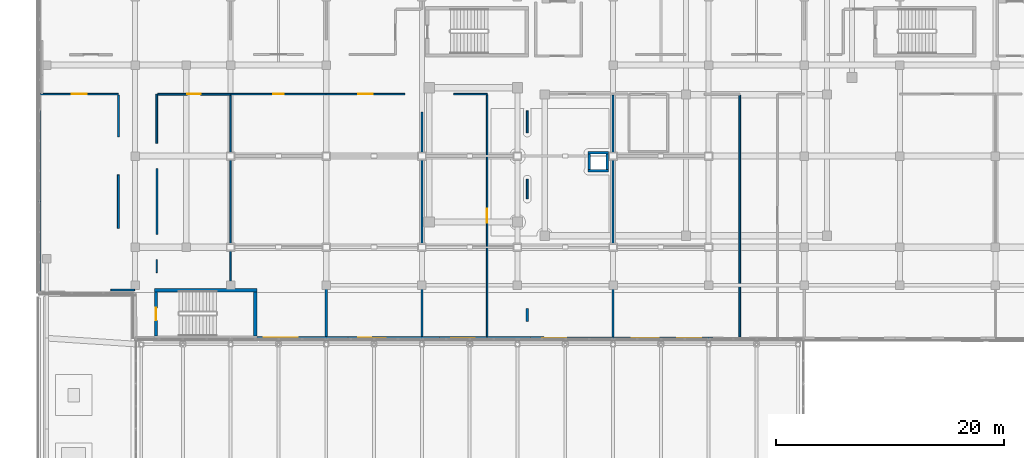
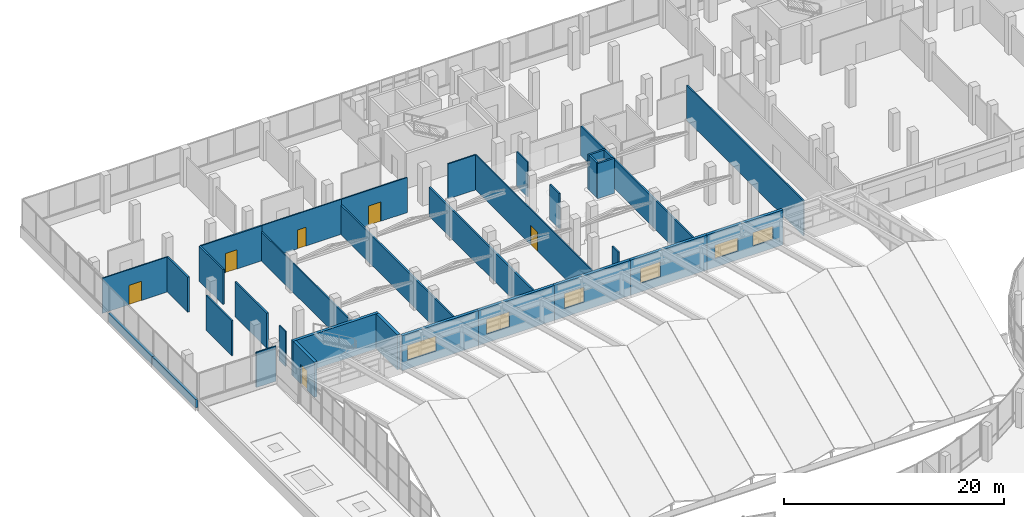
# One storey, part 165 of 184: 34 walls, 6 doors, 6 windows, 12 openings.
"""IFC4 building model written with IfcOpenShell, lengths in metres."""

import ifcopenshell
import ifcopenshell.guid

model = None  # the IFC model being written
_history = None  # IfcOwnerHistory: only IFC2X3 demands one
_inside = {}  # id of a spatial element -> (the spatial element, [elements in it])
_under = {}  # id of a project, library or spatial element -> (it, [spatial elements below it])
_declared = {}  # id of a project -> (the project, [libraries it declares])
_typed = {}  # id of a type object -> (the type object, [elements of that type])
_made_of = {}  # id of a material, layer set ... -> (it, [elements and type objects made of it])


def new_model(schema):
    """Start an empty IFC model of exactly this schema.

    Asked for "IFC4X3", IfcOpenShell would pick the latest addendum, in which some entities
    have other attributes; the version numbers below select the first issue.
    IFC2X3 requires an IfcOwnerHistory on every rooted entity: one is made here for all.
    """
    global model, _history
    if schema == "IFC4X3":
        model = ifcopenshell.file(schema_version=(4, 3, 0, 0))
    else:
        model = ifcopenshell.file(schema=schema)
    _inside.clear()
    _under.clear()
    _declared.clear()
    _typed.clear()
    _made_of.clear()
    _history = None
    if model.schema == "IFC2X3":
        org = make("IfcOrganization", Name="unknown")
        user = make(
            "IfcPersonAndOrganization",
            ThePerson=make("IfcPerson", FamilyName="unknown"),
            TheOrganization=org,
        )
        app = make(
            "IfcApplication",
            ApplicationDeveloper=org,
            Version="unknown",
            ApplicationFullName="unknown",
            ApplicationIdentifier="unknown",
        )
        _history = make(
            "IfcOwnerHistory",
            OwningUser=user,
            OwningApplication=app,
            ChangeAction="ADDED",
            CreationDate=0,
        )
    return model


def make(cls, **values):
    """One entity of the class cls with the attributes given. An attribute that is None is left unset."""
    return model.create_entity(
        cls, **{name: value for name, value in values.items() if value is not None}
    )


def rooted(cls, **values):
    """An entity with a GlobalId (a new one), such as an element, a storey or a relation."""
    return make(cls, GlobalId=ifcopenshell.guid.new(), OwnerHistory=_history, **values)


def si_unit(unit_type, name, prefix=None):
    """IfcSIUnit, for example si_unit("LENGTHUNIT", "METRE", prefix="MILLI")."""
    return make("IfcSIUnit", UnitType=unit_type, Prefix=prefix, Name=name)


def assignment(units):
    """IfcUnitAssignment: the units of a project."""
    return None if units is None else make("IfcUnitAssignment", Units=units)


def point(xyz):
    """IfcCartesianPoint."""
    return None if xyz is None else make("IfcCartesianPoint", Coordinates=xyz)


def direction(xyz):
    """IfcDirection."""
    return None if xyz is None else make("IfcDirection", DirectionRatios=xyz)


def frame(location, z_axis=None, x_axis=None):
    """IfcAxis2Placement3D, a coordinate frame: its origin and axes. An axis left out is left unset."""
    return make(
        "IfcAxis2Placement3D",
        Location=point(location),
        Axis=direction(z_axis),
        RefDirection=direction(x_axis),
    )


def frame_2d(location, x_axis=None):
    """IfcAxis2Placement2D, a coordinate frame in the plane: its origin and x axis."""
    return make(
        "IfcAxis2Placement2D", Location=point(location), RefDirection=direction(x_axis)
    )


def origin():
    """The frame at (0, 0, 0) with its axes left unset."""
    return frame((0.0, 0.0, 0.0))


def place(relative_to, where):
    """IfcLocalPlacement: puts the frame where relative to a parent placement (None: the world)."""
    return make(
        "IfcLocalPlacement", PlacementRelTo=relative_to, RelativePlacement=where
    )


def context(
    kind, dimensions, precision=None, world=None, true_north=None, identifier=None
):
    """IfcGeometricRepresentationContext, for example the 3D "Model" context."""
    return make(
        "IfcGeometricRepresentationContext",
        ContextIdentifier=identifier,
        ContextType=kind,
        CoordinateSpaceDimension=dimensions,
        Precision=precision,
        WorldCoordinateSystem=world,
        TrueNorth=true_north,
    )


def subcontext(parent, identifier, kind, view, scale=None):
    """IfcGeometricRepresentationSubContext, for example "Body" below "Model"."""
    return make(
        "IfcGeometricRepresentationSubContext",
        ContextIdentifier=identifier,
        ContextType=kind,
        ParentContext=parent,
        TargetScale=scale,
        TargetView=view,
    )


def project(units=None, contexts=None):
    """IfcProject with its units and contexts."""
    return rooted(
        "IfcProject",
        Name="project",
        RepresentationContexts=contexts,
        UnitsInContext=assignment(units),
    )


def spatial(cls, under=None, at=None, **own):
    """A site, building, storey or space (cls), placed at a placement, below another one or the project."""
    s = rooted(cls, ObjectPlacement=at, **own)
    if under is not None:
        _under.setdefault(under.id(), (under, []))[1].append(s)
    return s


def profile(cls, at=None, kind="AREA", **sizes):
    """A parametric profile (cls). Its sizes go by their IFC names, for example OverallWidth=200.0."""
    return make(cls, ProfileType=kind, Position=at, **sizes)


def rectangle(**sizes):
    """IfcRectangleProfileDef."""
    return profile("IfcRectangleProfileDef", **sizes)


def extrude(swept, where, along, depth):
    """IfcExtrudedAreaSolid: the profile swept, set in the frame where, extruded along a direction by depth."""
    return make(
        "IfcExtrudedAreaSolid",
        SweptArea=swept,
        Position=where,
        ExtrudedDirection=direction(along),
        Depth=depth,
    )


def shape(context_of_items, identifier, shape_type, items):
    """IfcShapeRepresentation: the items that make up one representation, for example the "Body"."""
    return make(
        "IfcShapeRepresentation",
        ContextOfItems=context_of_items,
        RepresentationIdentifier=identifier,
        RepresentationType=shape_type,
        Items=items,
    )


def material(Name=None, Category=None):
    """IfcMaterial."""
    return make("IfcMaterial", Name=Name, Category=Category)


def layer(
    of_material, thickness, ventilated=None, Name=None, Category=None, Priority=None
):
    """IfcMaterialLayer: one layer of a wall or slab, of a material (None: an air gap)."""
    return make(
        "IfcMaterialLayer",
        Material=of_material,
        LayerThickness=thickness,
        IsVentilated=ventilated,
        Name=Name,
        Category=Category,
        Priority=Priority,
    )


def layer_set(layers, Name=None):
    """IfcMaterialLayerSet."""
    return make("IfcMaterialLayerSet", MaterialLayers=layers, LayerSetName=Name)


def made_of(thing, what):
    """Note that an element or type object is made of a material, layer set ...; save() writes the relation."""
    if what is not None:
        _made_of.setdefault(what.id(), (what, []))[1].append(thing)
    return thing


def type_object(cls, material=None, **own):
    """A type object (cls), such as IfcWallType, which elements share."""
    return made_of(rooted(cls, **own), material)


def element(
    cls,
    number,
    at=None,
    inside=None,
    cuts=None,
    type_object=None,
    material=None,
    context=None,
    identifier="Body",
    shape_type=None,
    held_by="IfcProductDefinitionShape",
    body=None,
    shapes=None,
    **own,
):
    """One element of the class cls, such as IfcWall. Its Tag is "e" and its number.

    at: its placement. inside: the storey or other place that contains it. cuts: it is an
    opening in that element (IfcRelVoidsElement). A single representation is given by context,
    identifier, shape_type and body (its items); several are given by shapes. held_by: the class
    of the entity that holds the representations. save() writes the other relations.
    """
    e = rooted(cls, Tag="e%d" % number, ObjectPlacement=at, **own)
    if body is not None:
        shapes = [shape(context, identifier, shape_type, body)]
    if shapes is not None:
        e.Representation = make(held_by, Representations=shapes)
    if inside is not None:
        _inside.setdefault(inside.id(), (inside, []))[1].append(e)
    if cuts is not None:
        rooted(
            "IfcRelVoidsElement", RelatingBuildingElement=cuts, RelatedOpeningElement=e
        )
    if type_object is not None:
        _typed.setdefault(type_object.id(), (type_object, []))[1].append(e)
    return made_of(e, material)


def fill(opening, filler):
    """IfcRelFillsElement: the door or window that sits in an opening."""
    return rooted(
        "IfcRelFillsElement",
        RelatingOpeningElement=opening,
        RelatedBuildingElement=filler,
    )


def aggregate(whole, parts):
    """IfcRelAggregates: a whole, such as a stair, and the parts it consists of."""
    return rooted("IfcRelAggregates", RelatingObject=whole, RelatedObjects=parts)


def save(model, path):
    """Write the relations noted so far, then the file.

    IfcRelAggregates (storeys below a building ...), IfcRelContainedInSpatialStructure (elements
    in a storey), IfcRelDefinesByType, IfcRelAssociatesMaterial and IfcRelDeclares: one each for
    every whole, place, type object, material and project.
    """
    for whole, parts in _under.values():
        aggregate(whole, parts)
    for where, things in _inside.values():
        rooted(
            "IfcRelContainedInSpatialStructure",
            RelatedElements=things,
            RelatingStructure=where,
        )
    for kind, things in _typed.values():
        rooted("IfcRelDefinesByType", RelatedObjects=things, RelatingType=kind)
    for what, things in _made_of.values():
        rooted("IfcRelAssociatesMaterial", RelatedObjects=things, RelatingMaterial=what)
    for by, libraries in _declared.values():
        rooted("IfcRelDeclares", RelatingContext=by, RelatedDefinitions=libraries)
    model.write(path)


model = new_model("IFC4")

# Units and contexts
model_context = context("Model", 3, precision=1e-05, world=origin(), true_north=direction((0.0, 1.0)))
body_context = subcontext(model_context, "Body", "Model", "MODEL_VIEW")
ifc_project = project(units=[si_unit("LENGTHUNIT", "METRE"), si_unit("AREAUNIT", "SQUARE_METRE"), si_unit("VOLUMEUNIT", "CUBIC_METRE"), si_unit("PLANEANGLEUNIT", "RADIAN"), si_unit("MASSUNIT", "GRAM", prefix="KILO")], contexts=[model_context])

# Site, building, storey
site_placement = place(None, origin())
site = spatial("IfcSite", under=ifc_project, at=site_placement, CompositionType="ELEMENT")
building_placement = place(site_placement, origin())
building = spatial("IfcBuilding", under=site, at=building_placement, Name="Selatvlak General Hospital", CompositionType="ELEMENT")
storey_placement = place(building_placement, frame((0.0, 0.0, 15.0)))
storey = spatial("IfcBuildingStorey", under=building, at=storey_placement, Name="L03", CompositionType="ELEMENT", Elevation=15.0)

# Wall, openings, windows
ifc_material_1 = material(Name="Precast concrete C40/50 - white fair-faced", Category="concrete")
ifc_layer_1 = layer(ifc_material_1, 0.300048828125, Name="Precast concrete C40/50 - white fair-faced", Category="concrete")
ifc_layer_set_1 = layer_set([ifc_layer_1], Name="Precast concrete C40/50 - white fair-faced")
wall_type_1 = type_object("IfcWallType", Name="WALL-EW-01", PredefinedType="SOLIDWALL", material=ifc_layer_set_1)
wall_1_placement = place(storey_placement, frame((73.56005859375, 83.966064453125, 0.0), z_axis=(0.0, 0.0, 1.0), x_axis=(-0.999999732319, 0.000731684814, 0.0)))
wall_1 = element("IfcWall", 1, at=wall_1_placement, inside=storey, type_object=wall_type_1, Name="L03 exterior wall 0394", PredefinedType="SOLIDWALL", context=body_context, shape_type="SweptSolid", body=[
    extrude(rectangle(XDim=8.008056640625, YDim=0.300048828125, at=frame_2d((4.00390625, 0.0))), origin(), (0.0, 0.0, 1.0), 3.89501953125),
])
opening_1_placement = place(wall_1_placement, frame((1.031982421875, 0.0, 0.9599609375)))
opening_1 = element("IfcOpeningElement", 2, at=opening_1_placement, cuts=wall_1, Name="Opening WN-06", PredefinedType="OPENING", context=body_context, shape_type="SweptSolid", body=[
    extrude(rectangle(XDim=2.10009765625, YDim=1.5, at=frame_2d((1.050048828125, 0.75))), frame((0.0, 0.159912109375, 0.0), z_axis=(0.0, -1.0, 0.0), x_axis=(1.0, 0.0, 0.0)), (0.0, 0.0, 1.0), 0.320068359375),
])
opening_2_placement = place(wall_1_placement, frame((4.72607421875, 0.0, 0.9599609375)))
opening_2 = element("IfcOpeningElement", 3, at=opening_2_placement, cuts=wall_1, Name="Opening WN-07", PredefinedType="OPENING", context=body_context, shape_type="SweptSolid", body=[
    extrude(rectangle(XDim=2.39990234375, YDim=1.5, at=frame_2d((1.199951171875, 0.75))), frame((0.0, 0.159912109375, 0.0), z_axis=(0.0, -1.0, 0.0), x_axis=(1.0, 0.0, 0.0)), (0.0, 0.0, 1.0), 0.320068359375),
])
ifc_material_2 = material(Name="Thermally broken aluminium Low-E window", Category="aluminium")
window_type_1 = type_object("IfcWindowType", Name="WIN-WN-06", PartitioningType="SINGLE_PANEL", PredefinedType="WINDOW", material=ifc_material_2)
window_1_placement = place(opening_1_placement, origin())
window_1 = element("IfcWindow", 4, at=window_1_placement, inside=storey, type_object=window_type_1, Name="L03 Bauhaus ribbon window 0065", OverallHeight=1.5, OverallWidth=2.10009765625, PartitioningType="SINGLE_PANEL", PredefinedType="WINDOW", context=body_context, shape_type="SweptSolid", body=[
    extrude(rectangle(XDim=2.10009765625, YDim=1.5, at=frame_2d((1.050048828125, 0.75))), frame((0.0, 0.030029296875, 0.0), z_axis=(0.0, -1.0, 0.0), x_axis=(1.0, 0.0, 0.0)), (0.0, 0.0, 1.0), 0.06005859375),
])
fill(opening_1, window_1)
window_type_2 = type_object("IfcWindowType", Name="WIN-WN-07", PartitioningType="SINGLE_PANEL", PredefinedType="WINDOW", material=ifc_material_2)
window_2_placement = place(opening_2_placement, origin())
window_2 = element("IfcWindow", 5, at=window_2_placement, inside=storey, type_object=window_type_2, Name="L03 Bauhaus ribbon window 0066", OverallHeight=1.5, OverallWidth=2.39990234375, PartitioningType="SINGLE_PANEL", PredefinedType="WINDOW", context=body_context, shape_type="SweptSolid", body=[
    extrude(rectangle(XDim=2.39990234375, YDim=1.5, at=frame_2d((1.199951171875, 0.75))), frame((0.0, 0.030029296875, 0.0), z_axis=(0.0, -1.0, 0.0), x_axis=(1.0, 0.0, 0.0)), (0.0, 0.0, 1.0), 0.06005859375),
])
fill(opening_2, window_2)

# Wall, opening, window
wall_2_placement = place(storey_placement, frame((65.552001953125, 83.971923828125, 0.0), z_axis=(0.0, 0.0, 1.0), x_axis=(-0.999999795056, 0.000640224252, 0.0)))
wall_2 = element("IfcWall", 6, at=wall_2_placement, inside=storey, type_object=wall_type_1, Name="L03 exterior wall 0395", PredefinedType="SOLIDWALL", context=body_context, shape_type="SweptSolid", body=[
    extrude(rectangle(XDim=8.008056640625, YDim=0.300048828125, at=frame_2d((4.00390625, 0.0))), origin(), (0.0, 0.0, 1.0), 3.89501953125),
])
opening_3_placement = place(wall_2_placement, frame((4.8759765625, 0.0, 0.9599609375)))
opening_3 = element("IfcOpeningElement", 7, at=opening_3_placement, cuts=wall_2, Name="Opening WN-12", PredefinedType="OPENING", context=body_context, shape_type="SweptSolid", body=[
    extrude(rectangle(XDim=2.10009765625, YDim=1.64990234375, at=frame_2d((1.050048828125, 0.824951171875))), frame((0.0, 0.159912109375, 0.0), z_axis=(0.0, -1.0, 0.0), x_axis=(1.0, 0.0, 0.0)), (0.0, 0.0, 1.0), 0.320068359375),
])
window_type_3 = type_object("IfcWindowType", Name="WIN-WN-12", PartitioningType="SINGLE_PANEL", PredefinedType="WINDOW", material=ifc_material_2)
window_3_placement = place(opening_3_placement, origin())
window_3 = element("IfcWindow", 8, at=window_3_placement, inside=storey, type_object=window_type_3, Name="L03 Bauhaus ribbon window 0068", OverallHeight=1.64990234375, OverallWidth=2.10009765625, PartitioningType="SINGLE_PANEL", PredefinedType="WINDOW", context=body_context, shape_type="SweptSolid", body=[
    extrude(rectangle(XDim=2.10009765625, YDim=1.64990234375, at=frame_2d((1.050048828125, 0.824951171875))), frame((0.0, 0.030029296875, 0.0), z_axis=(0.0, -1.0, 0.0), x_axis=(1.0, 0.0, 0.0)), (0.0, 0.0, 1.0), 0.06005859375),
])
fill(opening_3, window_3)

wall_3_placement = place(storey_placement, frame((57.5439453125, 83.97705078125, 0.0), z_axis=(0.0, 0.0, 1.0), x_axis=(-0.99999981411, 0.000609737395, 0.0)))
wall_3 = element("IfcWall", 9, at=wall_3_placement, inside=storey, type_object=wall_type_1, Name="L03 exterior wall 0396", PredefinedType="SOLIDWALL", context=body_context, shape_type="SweptSolid", body=[
    extrude(rectangle(XDim=8.008056640625, YDim=0.300048828125, at=frame_2d((4.00390625, 0.0))), origin(), (0.0, 0.0, 1.0), 3.89501953125),
])
opening_4_placement = place(wall_3_placement, frame((4.8759765625, 0.0, 0.9599609375)))
opening_4 = element("IfcOpeningElement", 10, at=opening_4_placement, cuts=wall_3, Name="Opening WN-12", PredefinedType="OPENING", context=body_context, shape_type="SweptSolid", body=[
    extrude(rectangle(XDim=2.10009765625, YDim=1.64990234375, at=frame_2d((1.050048828125, 0.824951171875))), frame((0.0, 0.159912109375, 0.0), z_axis=(0.0, -1.0, 0.0), x_axis=(1.0, 0.0, 0.0)), (0.0, 0.0, 1.0), 0.320068359375),
])
window_4_placement = place(opening_4_placement, origin())
window_4 = element("IfcWindow", 11, at=window_4_placement, inside=storey, type_object=window_type_3, Name="L03 Bauhaus ribbon window 0070", OverallHeight=1.64990234375, OverallWidth=2.10009765625, PartitioningType="SINGLE_PANEL", PredefinedType="WINDOW", context=body_context, shape_type="SweptSolid", body=[
    extrude(rectangle(XDim=2.10009765625, YDim=1.64990234375, at=frame_2d((1.050048828125, 0.824951171875))), frame((0.0, 0.030029296875, 0.0), z_axis=(0.0, -1.0, 0.0), x_axis=(1.0, 0.0, 0.0)), (0.0, 0.0, 1.0), 0.06005859375),
])
fill(opening_4, window_4)

wall_4_placement = place(storey_placement, frame((49.535888671875, 83.98193359375, 0.0), z_axis=(0.0, 0.0, 1.0), x_axis=(-0.999999709529, 0.000762194901, 0.0)))
wall_4 = element("IfcWall", 12, at=wall_4_placement, inside=storey, type_object=wall_type_1, Name="L03 exterior wall 0397", PredefinedType="SOLIDWALL", context=body_context, shape_type="SweptSolid", body=[
    extrude(rectangle(XDim=8.0078125, YDim=0.300048828125, at=frame_2d((4.00390625, 0.0))), origin(), (0.0, 0.0, 1.0), 3.89501953125),
])
opening_5_placement = place(wall_4_placement, frame((4.72607421875, 0.0, 0.9599609375)))
opening_5 = element("IfcOpeningElement", 13, at=opening_5_placement, cuts=wall_4, Name="Opening WN-13", PredefinedType="OPENING", context=body_context, shape_type="SweptSolid", body=[
    extrude(rectangle(XDim=2.39990234375, YDim=1.64990234375, at=frame_2d((1.199951171875, 0.824951171875))), frame((0.0, 0.159912109375, 0.0), z_axis=(0.0, -1.0, 0.0), x_axis=(1.0, 0.0, 0.0)), (0.0, 0.0, 1.0), 0.320068359375),
])
window_type_4 = type_object("IfcWindowType", Name="WIN-WN-13", PartitioningType="SINGLE_PANEL", PredefinedType="WINDOW", material=ifc_material_2)
window_5_placement = place(opening_5_placement, origin())
window_5 = element("IfcWindow", 14, at=window_5_placement, inside=storey, type_object=window_type_4, Name="L03 Bauhaus ribbon window 0072", OverallHeight=1.64990234375, OverallWidth=2.39990234375, PartitioningType="SINGLE_PANEL", PredefinedType="WINDOW", context=body_context, shape_type="SweptSolid", body=[
    extrude(rectangle(XDim=2.39990234375, YDim=1.64990234375, at=frame_2d((1.199951171875, 0.824951171875))), frame((0.0, 0.030029296875, 0.0), z_axis=(0.0, -1.0, 0.0), x_axis=(1.0, 0.0, 0.0)), (0.0, 0.0, 1.0), 0.06005859375),
])
fill(opening_5, window_5)

wall_5_placement = place(storey_placement, frame((41.528076171875, 83.988037109375, 0.0), z_axis=(0.0, 0.0, 1.0), x_axis=(-0.99999981411, 0.000609737395, 0.0)))
wall_5 = element("IfcWall", 15, at=wall_5_placement, inside=storey, type_object=wall_type_1, Name="L03 exterior wall 0398", PredefinedType="SOLIDWALL", context=body_context, shape_type="SweptSolid", body=[
    extrude(rectangle(XDim=8.008056640625, YDim=0.300048828125, at=frame_2d((4.00390625, 0.0))), origin(), (0.0, 0.0, 1.0), 3.89501953125),
])
opening_6_placement = place(wall_5_placement, frame((4.426025390625, 0.0, 0.9599609375)))
opening_6 = element("IfcOpeningElement", 16, at=opening_6_placement, cuts=wall_5, Name="Opening WN-15", PredefinedType="OPENING", context=body_context, shape_type="SweptSolid", body=[
    extrude(rectangle(XDim=3.0, YDim=1.64990234375, at=frame_2d((1.5, 0.824951171875))), frame((0.0, 0.159912109375, 0.0), z_axis=(0.0, -1.0, 0.0), x_axis=(1.0, 0.0, 0.0)), (0.0, 0.0, 1.0), 0.320068359375),
])
window_type_5 = type_object("IfcWindowType", Name="WIN-WN-15", PartitioningType="SINGLE_PANEL", PredefinedType="WINDOW", material=ifc_material_2)
window_6_placement = place(opening_6_placement, origin())
window_6 = element("IfcWindow", 17, at=window_6_placement, inside=storey, type_object=window_type_5, Name="L03 Bauhaus ribbon window 0074", OverallHeight=1.64990234375, OverallWidth=3.0, PartitioningType="SINGLE_PANEL", PredefinedType="WINDOW", context=body_context, shape_type="SweptSolid", body=[
    extrude(rectangle(XDim=3.0, YDim=1.64990234375, at=frame_2d((1.5, 0.824951171875))), frame((0.0, 0.030029296875, 0.0), z_axis=(0.0, -1.0, 0.0), x_axis=(1.0, 0.0, 0.0)), (0.0, 0.0, 1.0), 0.06005859375),
])
fill(opening_6, window_6)

# Walls
ifc_material_3 = material(Name="Precast concrete C40/50 - white Bauhaus spandrel", Category="concrete")
ifc_layer_2 = layer(ifc_material_3, 0.280029296875, Name="Precast concrete C40/50 - white Bauhaus spandrel", Category="concrete")
ifc_layer_set_2 = layer_set([ifc_layer_2], Name="Precast concrete C40/50 - white Bauhaus spandrel")
wall_type_2 = type_object("IfcWallType", Name="WALL-EW-02", PredefinedType="SOLIDWALL", material=ifc_layer_set_2)
wall_6_placement = place(storey_placement, frame((14.39990234375, 88.139892578125, 0.0), z_axis=(0.0, 0.0, 1.0), x_axis=(0.0, 1.0, 0.0)))
element("IfcWall", 18, at=wall_6_placement, inside=storey, type_object=wall_type_2, Name="L03 Bauhaus spandrel sill wall 0358", PredefinedType="SOLIDWALL", context=body_context, shape_type="SweptSolid", body=[
    extrude(rectangle(XDim=7.858154296875, YDim=0.280029296875, at=frame_2d((3.92919921875, 0.0))), origin(), (0.0, 0.0, 1.0), 0.93994140625),
])
wall_7_placement = place(storey_placement, frame((14.39990234375, 96.001953125, 0.0), z_axis=(0.0, 0.0, 1.0), x_axis=(0.0, 1.0, 0.0)))
element("IfcWall", 19, at=wall_7_placement, inside=storey, type_object=wall_type_2, Name="L03 Bauhaus spandrel sill wall 0359", PredefinedType="SOLIDWALL", context=body_context, shape_type="SweptSolid", body=[
    extrude(rectangle(XDim=7.9951171875, YDim=0.280029296875, at=frame_2d((3.99755859375, 0.0))), origin(), (0.0, 0.0, 1.0), 0.93994140625),
])
ifc_material_4 = material(Name="Concrete C40/50", Category="concrete")
ifc_layer_3 = layer(ifc_material_4, 0.199951171875, Name="Concrete C40/50", Category="concrete")
ifc_layer_set_3 = layer_set([ifc_layer_3], Name="Concrete C40/50")
wall_type_3 = type_object("IfcWallType", Name="WALL-IW-02", PredefinedType="SOLIDWALL", material=ifc_layer_set_3)
wall_8_placement = place(storey_placement, frame((62.60009765625, 98.699951171875, 0.0), z_axis=(0.0, 0.0, 1.0), x_axis=(1.0, 0.0, 0.0)))
element("IfcWall", 20, at=wall_8_placement, inside=storey, type_object=wall_type_3, Name="Service riser 1 shaft wall L03 S", PredefinedType="SOLIDWALL", context=body_context, shape_type="SweptSolid", body=[
    extrude(rectangle(XDim=1.7998046875, YDim=0.199951171875, at=frame_2d((0.89990234375, 0.0))), origin(), (0.0, 0.0, 1.0), 3.89501953125),
])
wall_9_placement = place(storey_placement, frame((64.300048828125, 98.800048828125, 0.0), z_axis=(0.0, 0.0, 1.0), x_axis=(0.0, 1.0, 0.0)))
element("IfcWall", 21, at=wall_9_placement, inside=storey, type_object=wall_type_3, Name="Service riser 1 shaft wall L03 E", PredefinedType="SOLIDWALL", context=body_context, shape_type="SweptSolid", body=[
    extrude(rectangle(XDim=1.39990234375, YDim=0.199951171875, at=frame_2d((0.699951171875, 0.0))), origin(), (0.0, 0.0, 1.0), 3.89501953125),
])
wall_10_placement = place(storey_placement, frame((64.39990234375, 100.300048828125, 0.0), z_axis=(0.0, 0.0, 1.0), x_axis=(-1.0, 0.0, 0.0)))
element("IfcWall", 22, at=wall_10_placement, inside=storey, type_object=wall_type_3, Name="Service riser 1 shaft wall L03 N", PredefinedType="SOLIDWALL", context=body_context, shape_type="SweptSolid", body=[
    extrude(rectangle(XDim=1.7998046875, YDim=0.199951171875, at=frame_2d((0.89990234375, 0.0))), origin(), (0.0, 0.0, 1.0), 3.89501953125),
])
wall_11_placement = place(storey_placement, frame((62.699951171875, 100.199951171875, 0.0), z_axis=(0.0, 0.0, 1.0), x_axis=(0.0, -1.0, 0.0)))
element("IfcWall", 23, at=wall_11_placement, inside=storey, type_object=wall_type_3, Name="Service riser 1 shaft wall L03 W", PredefinedType="SOLIDWALL", context=body_context, shape_type="SweptSolid", body=[
    extrude(rectangle(XDim=1.39990234375, YDim=0.199951171875, at=frame_2d((0.699951171875, 0.0))), origin(), (0.0, 0.0, 1.0), 3.89501953125),
])
ifc_material_5 = material(Name="Acoustic gypsum stud partition")
ifc_layer_4 = layer(ifc_material_5, 0.179931640625, Name="Acoustic gypsum stud partition")
ifc_layer_set_4 = layer_set([ifc_layer_4], Name="Acoustic gypsum stud partition")
wall_type_4 = type_object("IfcWallType", Name="WALL-PT-01", PredefinedType="PARTITIONING", material=ifc_layer_set_4)
wall_12_placement = place(storey_placement, frame((24.7099609375, 93.10693359375, 0.0), z_axis=(0.0, 0.0, 1.0), x_axis=(0.0, 1.0, 0.0)))
element("IfcWall", 24, at=wall_12_placement, inside=storey, type_object=wall_type_4, Name="L03 clinical partition PT-L03-1545", PredefinedType="PARTITIONING", context=body_context, shape_type="SweptSolid", body=[
    extrude(rectangle(XDim=5.7861328125, YDim=0.179931640625, at=frame_2d((2.89306640625, 0.0))), origin(), (0.0, 0.0, 1.0), 3.89501953125),
])
wall_13_placement = place(storey_placement, frame((21.340087890625, 105.384033203125, 0.0), z_axis=(0.0, 0.0, 1.0), x_axis=(0.0, -1.0, 0.0)))
element("IfcWall", 25, at=wall_13_placement, inside=storey, type_object=wall_type_4, Name="L03 clinical partition PT-L03-1550", PredefinedType="PARTITIONING", context=body_context, shape_type="SweptSolid", body=[
    extrude(rectangle(XDim=3.72802734375, YDim=0.179931640625, at=frame_2d((1.864013671875, 0.0))), origin(), (0.0, 0.0, 1.0), 3.89501953125),
])
wall_14_placement = place(storey_placement, frame((39.60009765625, 105.384033203125, 0.0), z_axis=(0.0, 0.0, 1.0), x_axis=(0.0, -1.0, 0.0)))
element("IfcWall", 26, at=wall_14_placement, inside=storey, type_object=wall_type_4, Name="L03 clinical partition PT-L03-1555", PredefinedType="PARTITIONING", context=body_context, shape_type="SweptSolid", body=[
    extrude(rectangle(XDim=21.248046875, YDim=0.179931640625, at=frame_2d((10.6240234375, 0.0))), origin(), (0.0, 0.0, 1.0), 3.2451171875),
])
wall_15_placement = place(storey_placement, frame((48.0, 103.887939453125, 0.0), z_axis=(0.0, 0.0, 1.0), x_axis=(0.0, -1.0, 0.0)))
element("IfcWall", 27, at=wall_15_placement, inside=storey, type_object=wall_type_4, Name="L03 clinical partition PT-L03-1557", PredefinedType="PARTITIONING", context=body_context, shape_type="SweptSolid", body=[
    extrude(rectangle(XDim=19.758056640625, YDim=0.179931640625, at=frame_2d((9.87890625, 0.0))), origin(), (0.0, 0.0, 1.0), 3.2451171875),
])
wall_16_placement = place(storey_placement, frame((57.260009765625, 85.485107421875, 0.0), z_axis=(0.0, 0.0, 1.0), x_axis=(0.0, 1.0, 0.0)))
element("IfcWall", 28, at=wall_16_placement, inside=storey, type_object=wall_type_4, Name="L03 clinical partition PT-L03-1560", PredefinedType="PARTITIONING", context=body_context, shape_type="SweptSolid", body=[
    extrude(rectangle(XDim=1.1298828125, YDim=0.179931640625, at=frame_2d((0.56494140625, 0.0))), origin(), (0.0, 0.0, 1.0), 3.89501953125),
])
ifc_layer_5 = layer(ifc_material_5, 0.1650390625, Name="Acoustic gypsum stud partition")
ifc_layer_set_5 = layer_set([ifc_layer_5], Name="Acoustic gypsum stud partition")
wall_type_5 = type_object("IfcWallType", Name="WALL-PT-02", PredefinedType="PARTITIONING", material=ifc_layer_set_5)
wall_17_placement = place(storey_placement, frame((24.7099609375, 101.10693359375, 0.0), z_axis=(0.0, 0.0, 1.0), x_axis=(0.0, 1.0, 0.0)))
element("IfcWall", 29, at=wall_17_placement, inside=storey, type_object=wall_type_5, Name="L03 clinical partition PT-L03-1546", PredefinedType="PARTITIONING", context=body_context, shape_type="SweptSolid", body=[
    extrude(rectangle(XDim=4.3330078125, YDim=0.1650390625, at=frame_2d((2.16650390625, 0.0))), origin(), (0.0, 0.0, 1.0), 3.89501953125),
])
wall_18_placement = place(storey_placement, frame((21.340087890625, 98.343994140625, 0.0), z_axis=(0.0, 0.0, 1.0), x_axis=(0.0, -1.0, 0.0)))
element("IfcWall", 30, at=wall_18_placement, inside=storey, type_object=wall_type_5, Name="L03 clinical partition PT-L03-1551", PredefinedType="PARTITIONING", context=body_context, shape_type="SweptSolid", body=[
    extrude(rectangle(XDim=4.68798828125, YDim=0.1650390625, at=frame_2d((2.343994140625, 0.0))), origin(), (0.0, 0.0, 1.0), 3.89501953125),
])
wall_19_placement = place(storey_placement, frame((57.260009765625, 96.235107421875, 0.0), z_axis=(0.0, 0.0, 1.0), x_axis=(0.0, 1.0, 0.0)))
element("IfcWall", 31, at=wall_19_placement, inside=storey, type_object=wall_type_5, Name="L03 clinical partition PT-L03-1561", PredefinedType="PARTITIONING", context=body_context, shape_type="SweptSolid", body=[
    extrude(rectangle(XDim=1.72998046875, YDim=0.1650390625, at=frame_2d((0.864990234375, 0.0))), origin(), (0.0, 0.0, 1.0), 3.89501953125),
])
wall_20_placement = place(storey_placement, frame((64.800048828125, 105.35400390625, 0.0), z_axis=(0.0, 0.0, 1.0), x_axis=(0.0, -1.0, 0.0)))
element("IfcWall", 32, at=wall_20_placement, inside=storey, type_object=wall_type_5, Name="L03 clinical partition PT-L03-1564", PredefinedType="PARTITIONING", context=body_context, shape_type="SweptSolid", body=[
    extrude(rectangle(XDim=21.235107421875, YDim=0.1650390625, at=frame_2d((10.61767578125, 0.0))), origin(), (0.0, 0.0, 1.0), 3.2451171875),
])

# Wall, opening, door
ifc_layer_6 = layer(ifc_material_5, 0.14990234375, Name="Acoustic gypsum stud partition")
ifc_layer_set_6 = layer_set([ifc_layer_6], Name="Acoustic gypsum stud partition")
wall_type_6 = type_object("IfcWallType", Name="WALL-PT-03", PredefinedType="PARTITIONING", material=ifc_layer_set_6)
wall_21_placement = place(storey_placement, frame((24.7880859375, 105.43994140625, 0.0), z_axis=(0.0, 0.0, 1.0), x_axis=(1.0, 0.0, 0.0)))
wall_21 = element("IfcWall", 33, at=wall_21_placement, inside=storey, type_object=wall_type_6, Name="L03 clinical partition PT-L03-1547", PredefinedType="PARTITIONING", context=body_context, shape_type="SweptSolid", body=[
    extrude(rectangle(XDim=6.411865234375, YDim=0.14990234375, at=frame_2d((3.2060546875, 0.0))), origin(), (0.0, 0.0, 1.0), 3.89501953125),
])
opening_7_placement = place(wall_21_placement, frame((2.60595703125, 0.0, 0.0)))
opening_7 = element("IfcOpeningElement", 34, at=opening_7_placement, cuts=wall_21, Name="Opening D-23", PredefinedType="OPENING", context=body_context, shape_type="SweptSolid", body=[
    extrude(rectangle(XDim=1.199951171875, YDim=2.14990234375, at=frame_2d((0.60009765625, 1.074951171875))), frame((0.0, 0.0849609375, 0.0), z_axis=(0.0, -1.0, 0.0), x_axis=(1.0, 0.0, 0.0)), (0.0, 0.0, 1.0), 0.169921875),
])
ifc_material_6 = material(Name="Endoscopy clinical door")
door_type_1 = type_object("IfcDoorType", Name="DOOR-D-23", OperationType="NOTDEFINED", PredefinedType="DOOR", material=ifc_material_6)
door_1_placement = place(opening_7_placement, origin())
door_1 = element("IfcDoor", 35, at=door_1_placement, inside=storey, type_object=door_type_1, Name="L03 Microbiology Serology Laboratory 30 door", OperationType="SINGLE_SWING_LEFT", OverallHeight=2.14990234375, OverallWidth=1.199951171875, PredefinedType="DOOR", context=body_context, shape_type="SweptSolid", body=[
    extrude(rectangle(XDim=1.199951171875, YDim=2.14990234375, at=frame_2d((0.60009765625, 1.074951171875))), frame((0.0, 0.02490234375, 0.0), z_axis=(0.0, -1.0, 0.0), x_axis=(1.0, 0.0, 0.0)), (0.0, 0.0, 1.0), 0.050048828125),
])
fill(opening_7, door_1)

# Walls
wall_22_placement = place(storey_placement, frame((20.680908203125, 88.239990234375, 0.0), z_axis=(0.0, 0.0, 1.0), x_axis=(1.0, 0.0, 0.0)))
element("IfcWall", 36, at=wall_22_placement, inside=storey, type_object=wall_type_6, Name="L03 clinical partition PT-L03-1552", PredefinedType="PARTITIONING", context=body_context, shape_type="SweptSolid", body=[
    extrude(rectangle(XDim=2.093017578125, YDim=0.14990234375, at=frame_2d((1.04638671875, 0.0))), origin(), (0.0, 0.0, 1.0), 3.89501953125),
])
wall_23_placement = place(storey_placement, frame((75.93994140625, 105.361083984375, 0.0), z_axis=(0.0, 0.0, 1.0), x_axis=(0.0, -1.0, 0.0)))
element("IfcWall", 37, at=wall_23_placement, inside=storey, type_object=wall_type_6, Name="L03 clinical partition PT-L03-1567", PredefinedType="PARTITIONING", context=body_context, shape_type="SweptSolid", body=[
    extrude(rectangle(XDim=21.2490234375, YDim=0.14990234375, at=frame_2d((10.62451171875, 0.0))), origin(), (0.0, 0.0, 1.0), 3.89501953125),
])
ifc_material_7 = material(Name="Moisture-resistant clinical partition")
ifc_layer_7 = layer(ifc_material_7, 0.135009765625, Name="Moisture-resistant clinical partition")
ifc_layer_set_7 = layer_set([ifc_layer_7], Name="Moisture-resistant clinical partition")
wall_type_7 = type_object("IfcWallType", Name="WALL-PT-04", PredefinedType="PARTITIONING", material=ifc_layer_set_7)
wall_24_placement = place(storey_placement, frame((31.199951171875, 105.368896484375, 0.0), z_axis=(0.0, 0.0, 1.0), x_axis=(0.0, -1.0, 0.0)))
element("IfcWall", 38, at=wall_24_placement, inside=storey, type_object=wall_type_7, Name="L03 clinical partition PT-L03-1548", PredefinedType="PARTITIONING", context=body_context, shape_type="SweptSolid", body=[
    extrude(rectangle(XDim=17.02197265625, YDim=0.135009765625, at=frame_2d((8.510986328125, 0.0))), origin(), (0.0, 0.0, 1.0), 3.2451171875),
])

# Wall, opening, door
wall_25_placement = place(storey_placement, frame((39.60009765625, 105.43994140625, 0.0), z_axis=(0.0, 0.0, 1.0), x_axis=(1.0, 0.0, 0.0)))
wall_25 = element("IfcWall", 39, at=wall_25_placement, inside=storey, type_object=wall_type_7, Name="L03 clinical partition PT-L03-1556", PredefinedType="PARTITIONING", context=body_context, shape_type="SweptSolid", body=[
    extrude(rectangle(XDim=6.914794921875, YDim=0.135009765625, at=frame_2d((3.45751953125, 0.0))), origin(), (0.0, 0.0, 1.0), 3.89501953125),
])
opening_8_placement = place(wall_25_placement, frame((2.806884765625, 0.0, 0.0)))
opening_8 = element("IfcOpeningElement", 40, at=opening_8_placement, cuts=wall_25, Name="Opening D-09", PredefinedType="OPENING", context=body_context, shape_type="SweptSolid", body=[
    extrude(rectangle(XDim=1.300048828125, YDim=2.14990234375, at=frame_2d((0.64990234375, 1.074951171875))), frame((0.0, 0.077392578125, 0.0), z_axis=(0.0, -1.0, 0.0), x_axis=(1.0, 0.0, 0.0)), (0.0, 0.0, 1.0), 0.155029296875),
])
ifc_material_8 = material(Name="Outpatient procedure door")
door_type_2 = type_object("IfcDoorType", Name="DOOR-D-09", OperationType="NOTDEFINED", PredefinedType="DOOR", material=ifc_material_8)
door_2_placement = place(opening_8_placement, origin())
door_2 = element("IfcDoor", 41, at=door_2_placement, inside=storey, type_object=door_type_2, Name="L03 OT Laminar Flow AHU Plant 33 door", OperationType="SINGLE_SWING_RIGHT", OverallHeight=2.14990234375, OverallWidth=1.300048828125, PredefinedType="DOOR", context=body_context, shape_type="SweptSolid", body=[
    extrude(rectangle(XDim=1.300048828125, YDim=2.14990234375, at=frame_2d((0.64990234375, 1.074951171875))), frame((0.0, 0.02490234375, 0.0), z_axis=(0.0, -1.0, 0.0), x_axis=(1.0, 0.0, 0.0)), (0.0, 0.0, 1.0), 0.050048828125),
])
fill(opening_8, door_2)

# Walls
wall_26_placement = place(storey_placement, frame((50.784912109375, 105.43994140625, 0.0), z_axis=(0.0, 0.0, 1.0), x_axis=(1.0, 0.0, 0.0)))
element("IfcWall", 42, at=wall_26_placement, inside=storey, type_object=wall_type_7, Name="L03 clinical partition PT-L03-1558", PredefinedType="PARTITIONING", context=body_context, shape_type="SweptSolid", body=[
    extrude(rectangle(XDim=2.955078125, YDim=0.135009765625, at=frame_2d((1.4775390625, 0.0))), origin(), (0.0, 0.0, 1.0), 3.89501953125),
])
wall_27_placement = place(storey_placement, frame((57.260009765625, 102.034912109375, 0.0), z_axis=(0.0, 0.0, 1.0), x_axis=(0.0, 1.0, 0.0)))
element("IfcWall", 43, at=wall_27_placement, inside=storey, type_object=wall_type_7, Name="L03 clinical partition PT-L03-1562", PredefinedType="PARTITIONING", context=body_context, shape_type="SweptSolid", body=[
    extrude(rectangle(XDim=1.93017578125, YDim=0.135009765625, at=frame_2d((0.965087890625, 0.0))), origin(), (0.0, 0.0, 1.0), 3.89501953125),
])
ifc_layer_8 = layer(ifc_material_7, 0.1201171875, Name="Moisture-resistant clinical partition")
ifc_layer_set_8 = layer_set([ifc_layer_8], Name="Moisture-resistant clinical partition")
wall_type_8 = type_object("IfcWallType", Name="WALL-PT-05", PredefinedType="PARTITIONING", material=ifc_layer_set_8)
wall_28_placement = place(storey_placement, frame((24.7099609375, 89.757080078125, 0.0), z_axis=(0.0, 0.0, 1.0), x_axis=(0.0, 1.0, 0.0)))
element("IfcWall", 44, at=wall_28_placement, inside=storey, type_object=wall_type_8, Name="L03 clinical partition PT-L03-1544", PredefinedType="PARTITIONING", context=body_context, shape_type="SweptSolid", body=[
    extrude(rectangle(XDim=1.135986328125, YDim=0.1201171875, at=frame_2d((0.56787109375, 0.0))), origin(), (0.0, 0.0, 1.0), 3.89501953125),
])

# Wall, opening, door
wall_29_placement = place(storey_placement, frame((14.44189453125, 105.43994140625, 0.0), z_axis=(0.0, 0.0, 1.0), x_axis=(1.0, 0.0, 0.0)))
wall_29 = element("IfcWall", 45, at=wall_29_placement, inside=storey, type_object=wall_type_8, Name="L03 clinical partition PT-L03-1549", PredefinedType="PARTITIONING", context=body_context, shape_type="SweptSolid", body=[
    extrude(rectangle(XDim=6.898193359375, YDim=0.1201171875, at=frame_2d((3.44921875, 0.0))), origin(), (0.0, 0.0, 1.0), 3.89501953125),
])
opening_9_placement = place(wall_29_placement, frame((2.799072265625, 0.0, 0.0)))
opening_9 = element("IfcOpeningElement", 46, at=opening_9_placement, cuts=wall_29, Name="Opening D-24", PredefinedType="OPENING", context=body_context, shape_type="SweptSolid", body=[
    extrude(rectangle(XDim=1.300048828125, YDim=2.14990234375, at=frame_2d((0.64990234375, 1.074951171875))), frame((0.0, 0.070068359375, 0.0), z_axis=(0.0, -1.0, 0.0), x_axis=(1.0, 0.0, 0.0)), (0.0, 0.0, 1.0), 0.14013671875),
])
ifc_material_9 = material(Name="Oncology bay door")
door_type_3 = type_object("IfcDoorType", Name="DOOR-D-24", OperationType="NOTDEFINED", PredefinedType="DOOR", material=ifc_material_9)
door_3_placement = place(opening_9_placement, origin())
door_3 = element("IfcDoor", 47, at=door_3_placement, inside=storey, type_object=door_type_3, Name="L03 Hospital Transfusion Blood Bank 31 door", OperationType="SINGLE_SWING_RIGHT", OverallHeight=2.14990234375, OverallWidth=1.300048828125, PredefinedType="DOOR", context=body_context, shape_type="SweptSolid", body=[
    extrude(rectangle(XDim=1.300048828125, YDim=2.14990234375, at=frame_2d((0.64990234375, 1.074951171875))), frame((0.0, 0.02490234375, 0.0), z_axis=(0.0, -1.0, 0.0), x_axis=(1.0, 0.0, 0.0)), (0.0, 0.0, 1.0), 0.050048828125),
])
fill(opening_9, door_3)

wall_30_placement = place(storey_placement, frame((31.199951171875, 105.43994140625, 0.0), z_axis=(0.0, 0.0, 1.0), x_axis=(1.0, 0.0, 0.0)))
wall_30 = element("IfcWall", 48, at=wall_30_placement, inside=storey, type_object=wall_type_8, Name="L03 clinical partition PT-L03-1554", PredefinedType="PARTITIONING", context=body_context, shape_type="SweptSolid", body=[
    extrude(rectangle(XDim=8.400146484375, YDim=0.1201171875, at=frame_2d((4.2001953125, 0.0))), origin(), (0.0, 0.0, 1.0), 3.89501953125),
])
opening_10_placement = place(wall_30_placement, frame((3.75, 0.0, 0.0)))
opening_10 = element("IfcOpeningElement", 49, at=opening_10_placement, cuts=wall_30, Name="Opening D-01", PredefinedType="OPENING", context=body_context, shape_type="SweptSolid", body=[
    extrude(rectangle(XDim=0.89990234375, YDim=2.10009765625, at=frame_2d((0.449951171875, 1.050048828125))), frame((0.0, 0.070068359375, 0.0), z_axis=(0.0, -1.0, 0.0), x_axis=(1.0, 0.0, 0.0)), (0.0, 0.0, 1.0), 0.14013671875),
])
ifc_material_10 = material(Name="Hardwood clinical room door", Category="wood")
door_type_4 = type_object("IfcDoorType", Name="DOOR-D-01", OperationType="NOTDEFINED", PredefinedType="DOOR", material=ifc_material_10)
door_4_placement = place(opening_10_placement, origin())
door_4 = element("IfcDoor", 50, at=door_4_placement, inside=storey, type_object=door_type_4, Name="L03 Biomedical Engineering Workshop 32 door", OperationType="SINGLE_SWING_LEFT", OverallHeight=2.10009765625, OverallWidth=0.89990234375, PredefinedType="DOOR", context=body_context, shape_type="SweptSolid", body=[
    extrude(rectangle(XDim=0.89990234375, YDim=2.10009765625, at=frame_2d((0.449951171875, 1.050048828125))), frame((0.0, 0.02490234375, 0.0), z_axis=(0.0, -1.0, 0.0), x_axis=(1.0, 0.0, 0.0)), (0.0, 0.0, 1.0), 0.050048828125),
])
fill(opening_10, door_4)

wall_31_placement = place(storey_placement, frame((53.739990234375, 105.3759765625, 0.0), z_axis=(0.0, 0.0, 1.0), x_axis=(0.0, -1.0, 0.0)))
wall_31 = element("IfcWall", 51, at=wall_31_placement, inside=storey, type_object=wall_type_8, Name="L03 clinical partition PT-L03-1559", PredefinedType="PARTITIONING", context=body_context, shape_type="SweptSolid", body=[
    extrude(rectangle(XDim=21.25, YDim=0.1201171875, at=frame_2d((10.625, 0.0))), origin(), (0.0, 0.0, 1.0), 3.89501953125),
])
opening_11_placement = place(wall_31_placement, frame((10.0, 0.0, 0.0)))
opening_11 = element("IfcOpeningElement", 52, at=opening_11_placement, cuts=wall_31, Name="Opening D-08", PredefinedType="OPENING", context=body_context, shape_type="SweptSolid", body=[
    extrude(rectangle(XDim=1.25, YDim=2.14990234375, at=frame_2d((0.625, 1.074951171875))), frame((0.0, 0.070068359375, 0.0), z_axis=(0.0, -1.0, 0.0), x_axis=(1.0, 0.0, 0.0)), (0.0, 0.0, 1.0), 0.14013671875),
])
ifc_material_11 = material(Name="Diagnostic treatment door")
door_type_5 = type_object("IfcDoorType", Name="DOOR-D-08", OperationType="NOTDEFINED", PredefinedType="DOOR", material=ifc_material_11)
door_5_placement = place(opening_11_placement, origin())
door_5 = element("IfcDoor", 53, at=door_5_placement, inside=storey, type_object=door_type_5, Name="L03 Histopathology Laboratory 34 door", OperationType="SINGLE_SWING_LEFT", OverallHeight=2.14990234375, OverallWidth=1.25, PredefinedType="DOOR", context=body_context, shape_type="SweptSolid", body=[
    extrude(rectangle(XDim=1.25, YDim=2.14990234375, at=frame_2d((0.625, 1.074951171875))), frame((0.0, 0.02490234375, 0.0), z_axis=(0.0, -1.0, 0.0), x_axis=(1.0, 0.0, 0.0)), (0.0, 0.0, 1.0), 0.050048828125),
])
fill(opening_11, door_5)

# Walls
ifc_material_12 = material(Name="Concrete C45/55", Category="concrete")
ifc_layer_9 = layer(ifc_material_12, 0.300048828125, Name="Concrete C45/55", Category="concrete")
ifc_layer_set_9 = layer_set([ifc_layer_9], Name="Concrete C45/55")
wall_type_9 = type_object("IfcWallType", Name="WALL-SW-02", PredefinedType="SHEAR", material=ifc_layer_set_9)
wall_32_placement = place(storey_placement, frame((33.360107421875, 84.18994140625, 0.0), z_axis=(0.0, 0.0, 1.0), x_axis=(0.0, 1.0, 0.0)))
element("IfcWall", 54, at=wall_32_placement, inside=storey, type_object=wall_type_9, Name="ST-07 core shear wall L03 E", PredefinedType="SHEAR", context=body_context, shape_type="SweptSolid", body=[
    extrude(rectangle(XDim=3.860107421875, YDim=0.300048828125, at=frame_2d((1.93017578125, 0.0))), origin(), (0.0, 0.0, 1.0), 3.89501953125),
])
wall_33_placement = place(storey_placement, frame((33.510009765625, 88.199951171875, 0.0), z_axis=(0.0, 0.0, 1.0), x_axis=(-1.0, 0.0, 0.0)))
element("IfcWall", 55, at=wall_33_placement, inside=storey, type_object=wall_type_9, Name="ST-07 core shear wall L03 N", PredefinedType="SHEAR", context=body_context, shape_type="SweptSolid", body=[
    extrude(rectangle(XDim=9.02001953125, YDim=0.300048828125, at=frame_2d((4.510009765625, 0.0))), origin(), (0.0, 0.0, 1.0), 3.89501953125),
])

# Wall, opening, door
wall_34_placement = place(storey_placement, frame((24.639892578125, 88.050048828125, 0.0), z_axis=(0.0, 0.0, 1.0), x_axis=(0.0, -1.0, 0.0)))
wall_34 = element("IfcWall", 56, at=wall_34_placement, inside=storey, type_object=wall_type_9, Name="ST-07 core shear wall L03 W", PredefinedType="SHEAR", context=body_context, shape_type="SweptSolid", body=[
    extrude(rectangle(XDim=3.860107421875, YDim=0.300048828125, at=frame_2d((1.93017578125, 0.0))), origin(), (0.0, 0.0, 1.0), 3.89501953125),
])
opening_12_placement = place(wall_34_placement, frame((1.3798828125, 0.0, 0.0)))
opening_12 = element("IfcOpeningElement", 57, at=opening_12_placement, cuts=wall_34, Name="Opening D-05", PredefinedType="OPENING", context=body_context, shape_type="SweptSolid", body=[
    extrude(rectangle(XDim=1.10009765625, YDim=2.14990234375, at=frame_2d((0.550048828125, 1.074951171875))), frame((0.0, 0.159912109375, 0.0), z_axis=(0.0, -1.0, 0.0), x_axis=(1.0, 0.0, 0.0)), (0.0, 0.0, 1.0), 0.320068359375),
])
ifc_material_13 = material(Name="Protected stair fire door")
door_type_6 = type_object("IfcDoorType", Name="DOOR-D-05", OperationType="NOTDEFINED", PredefinedType="DOOR", material=ifc_material_13)
door_6_placement = place(opening_12_placement, origin())
door_6 = element("IfcDoor", 58, at=door_6_placement, inside=storey, type_object=door_type_6, Name="ST-07 protected stair door on L03", OperationType="SINGLE_SWING_RIGHT", OverallHeight=2.14990234375, OverallWidth=1.10009765625, PredefinedType="DOOR", context=body_context, shape_type="SweptSolid", body=[
    extrude(rectangle(XDim=1.10009765625, YDim=2.14990234375, at=frame_2d((0.550048828125, 1.074951171875))), frame((0.0, 0.02490234375, 0.0), z_axis=(0.0, -1.0, 0.0), x_axis=(1.0, 0.0, 0.0)), (0.0, 0.0, 1.0), 0.050048828125),
])
fill(opening_12, door_6)

save(model, "model.ifc")
